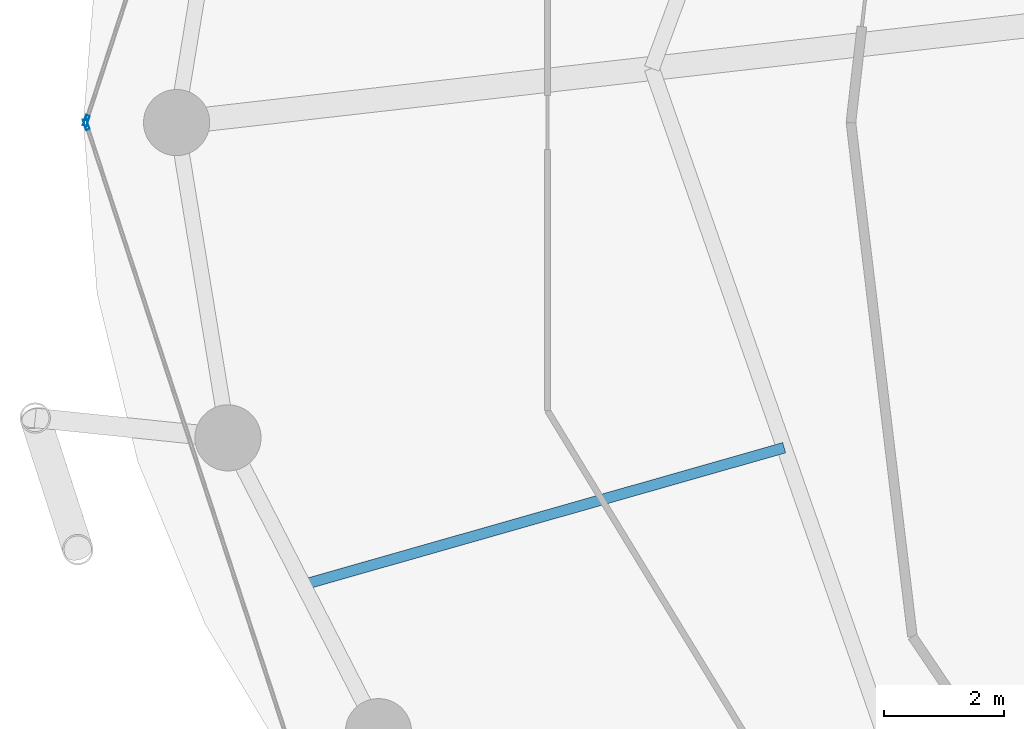
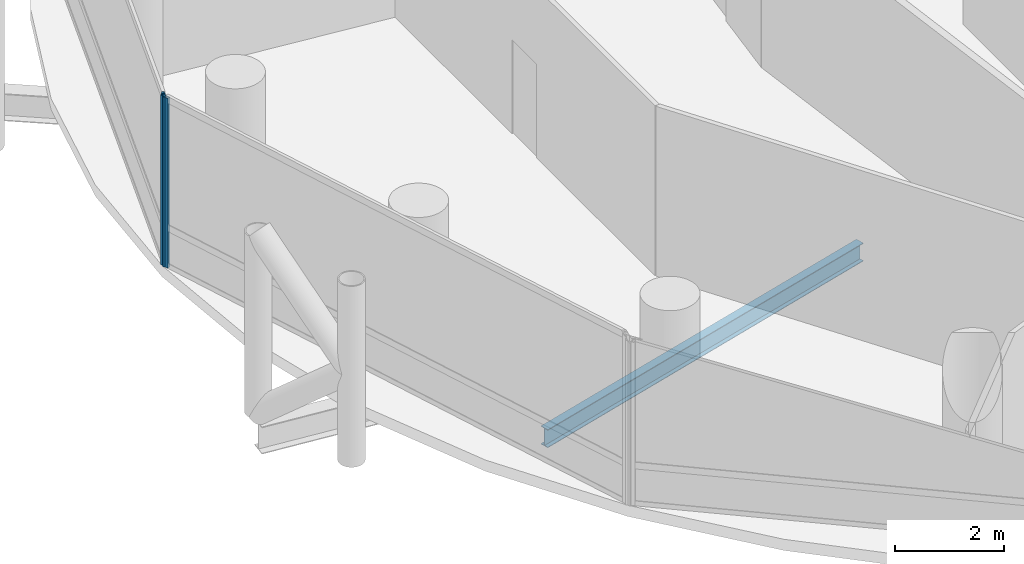
# One storey, part 6 of 25: 2 members, 1 beam, 2 elements without a shape of their own.
"""IFC4 building model written with IfcOpenShell, lengths in metres."""

from ifc_helpers import new_model, si_unit, direction, frame, origin, origin_2d, place, context, subcontext, project, spatial, hollow_rectangle, i_section, extrude, material, layer, layer_set, material_profile, profile_set, type_object, element, aggregate, save


model = new_model("IFC4")

# Units and contexts
model_context = context("Model", 3, precision=1e-05, world=origin(), true_north=direction((0.0, 1.0)))
body_context = subcontext(model_context, "Body", "Model", "MODEL_VIEW")
ifc_project = project(units=[si_unit("LENGTHUNIT", "METRE"), si_unit("AREAUNIT", "SQUARE_METRE"), si_unit("VOLUMEUNIT", "CUBIC_METRE"), si_unit("PLANEANGLEUNIT", "RADIAN"), si_unit("MASSUNIT", "GRAM", prefix="KILO")], contexts=[model_context])

# Site, building, storey
site_placement = place(None, origin())
site = spatial("IfcSite", under=ifc_project, at=site_placement, CompositionType="ELEMENT")
building_placement = place(site_placement, origin())
building = spatial("IfcBuilding", under=site, at=building_placement, Name="Nuhasar Tower", CompositionType="ELEMENT")
storey_placement = place(building_placement, frame((0.0, 0.0, 65.550048828125)))
storey = spatial("IfcBuildingStorey", under=building, at=storey_placement, Name="L15", CompositionType="ELEMENT", Elevation=65.550048828125)

# Beam
ifc_material_1 = material(Name="Steel S355", Category="steel")
ifc_material_profile_1 = material_profile(ifc_material_1, i_section(OverallWidth=0.177978515625, OverallDepth=0.406005859375, WebThickness=0.0078125, FlangeThickness=0.0126953125, at=origin_2d()), Name="W16X40")
ifc_profile_set_1 = profile_set([ifc_material_profile_1], Name="Steel S355")
beam_type = type_object("IfcBeamType", Name="BM-JST-W16X40", PredefinedType="JOIST", material=ifc_profile_set_1)
beam_placement = place(storey_placement, frame((24.051025390625, 21.39501953125, -0.453125), z_axis=(-0.961730884496, -0.273995813484, 0.0), x_axis=(0.273995813484, -0.961730884496, 0.0)))
element("IfcBeam", 1, at=beam_placement, inside=storey, type_object=beam_type, Name="L15 Secondary Floor Joist 08", PredefinedType="JOIST", context=body_context, shape_type="SweptSolid", body=[
    extrude(i_section(OverallWidth=0.177978515625, OverallDepth=0.406005859375, WebThickness=0.0078125, FlangeThickness=0.0126953125, at=origin_2d()), origin(), (0.0, 0.0, 1.0), 8.314208984375),
])

# Curtain wall, member
ifc_material_2 = material(Name="Aluminium 6063-T6", Category="aluminium")
ifc_layer = layer(ifc_material_2, 0.199951171875)
ifc_layer_set = layer_set([ifc_layer], Name="Aluminium 6063-T6")
curtain_wall_type = type_object("IfcCurtainWallType", Name="CW-Z1-OFF", PredefinedType="NOTDEFINED", material=ifc_layer_set)
curtain_wall_1_placement = place(storey_placement, origin())
curtain_wall_1 = element("IfcCurtainWall", 2, at=curtain_wall_1_placement, inside=storey, type_object=curtain_wall_type, Name="L15 Unitised Curtain Wall 06", PredefinedType="NOTDEFINED")
ifc_material_profile_2 = material_profile(ifc_material_2, hollow_rectangle(XDim=0.06494140625, YDim=0.179931640625, WallThickness=0.0048828125, at=origin_2d()), Name="CWM-2")
ifc_profile_set_2 = profile_set([ifc_material_profile_2], Name="Aluminium 6063-T6")
member_type = type_object("IfcMemberType", Name="CW-MUL-S2", PredefinedType="MULLION", material=ifc_profile_set_2)
member_1_placement = place(storey_placement, frame((12.4501953125, 26.830810546875, 0.0), z_axis=(0.0, 0.0, 1.0), x_axis=(0.950467534571, -0.310823849997, 0.0)))
member_1 = element("IfcMember", 3, at=member_1_placement, type_object=member_type, Name="CW-Z1 mullion 2", PredefinedType="MULLION", context=body_context, shape_type="SweptSolid", body=[
    extrude(hollow_rectangle(XDim=0.06494140625, YDim=0.179931640625, WallThickness=0.0048828125, at=origin_2d()), origin(), (0.0, 0.0, 1.0), 3.800048828125),
])
aggregate(curtain_wall_1, [member_1])

curtain_wall_2_placement = place(storey_placement, origin())
curtain_wall_2 = element("IfcCurtainWall", 4, at=curtain_wall_2_placement, inside=storey, type_object=curtain_wall_type, Name="L15 Unitised Curtain Wall 07", PredefinedType="NOTDEFINED")
member_2_placement = place(storey_placement, frame((12.4501953125, 26.76904296875, 0.0), z_axis=(0.0, 0.0, 1.0), x_axis=(0.950467534571, 0.310823849997, 0.0)))
member_2 = element("IfcMember", 5, at=member_2_placement, type_object=member_type, Name="CW-Z1 mullion 1", PredefinedType="MULLION", context=body_context, shape_type="SweptSolid", body=[
    extrude(hollow_rectangle(XDim=0.06494140625, YDim=0.179931640625, WallThickness=0.0048828125, at=origin_2d()), origin(), (0.0, 0.0, 1.0), 3.800048828125),
])
aggregate(curtain_wall_2, [member_2])

save(model, "model.ifc")
